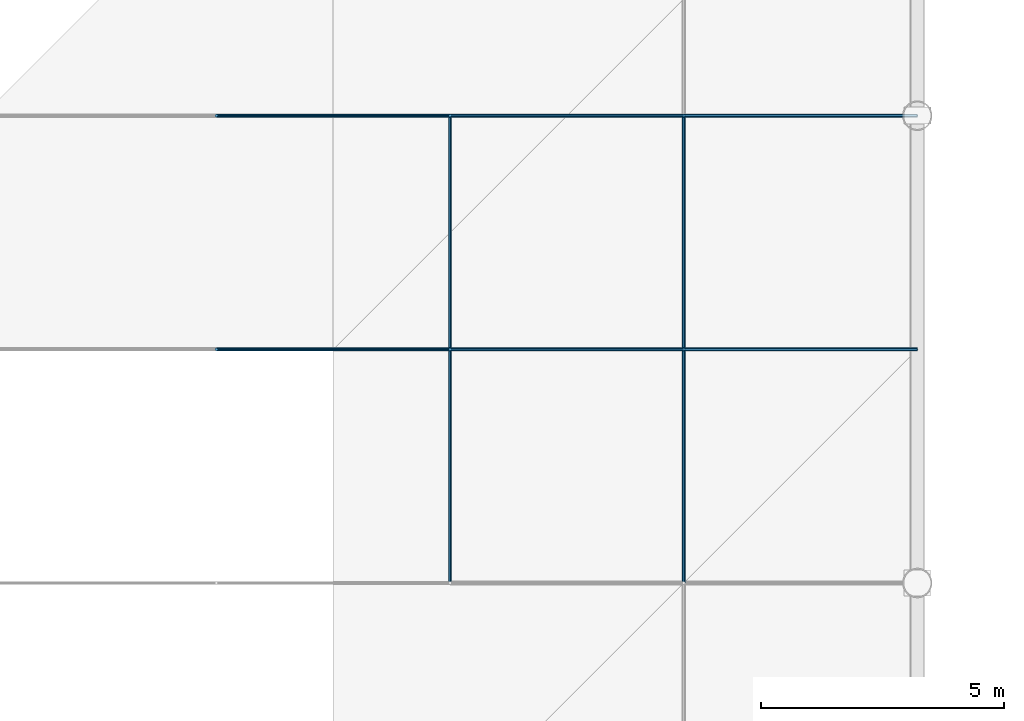
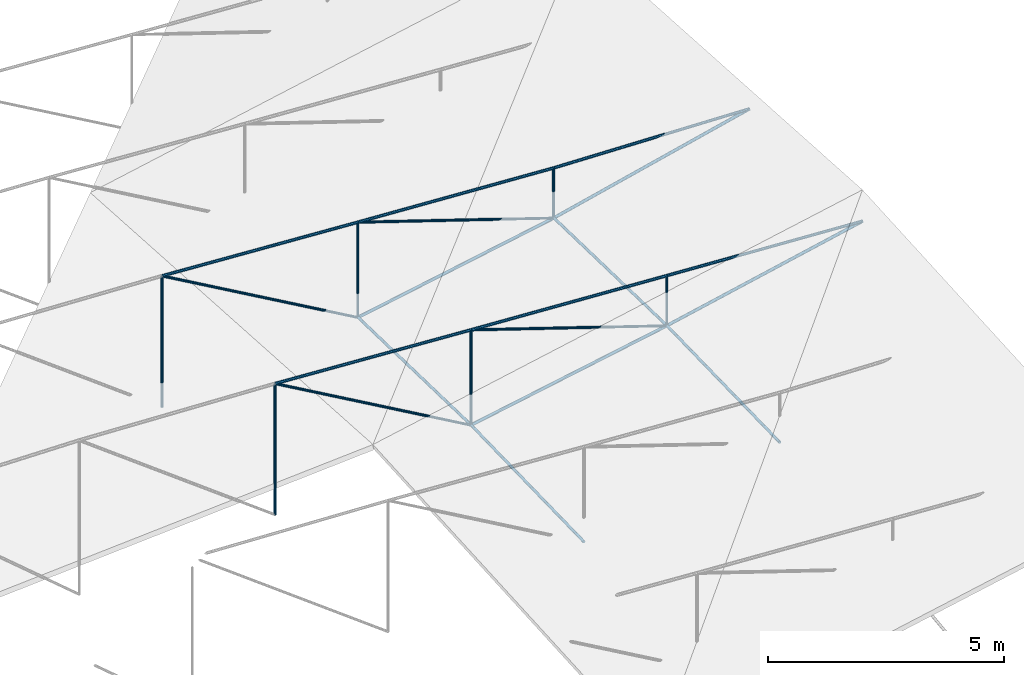
# One storey, part 27 of 50: 24 members.
"""IFC4 building model written with IfcOpenShell, lengths in metres."""

from ifc_helpers import new_model, si_unit, direction, frame, origin, origin_2d, place, context, subcontext, project, spatial, circle, extrude, material, material_profile, profile_set, type_object, element, save


model = new_model("IFC4")

# Units and contexts
model_context = context("Model", 3, precision=1e-05, world=origin(), true_north=direction((0.0, 1.0)))
body_context = subcontext(model_context, "Body", "Model", "MODEL_VIEW")
ifc_project = project(units=[si_unit("LENGTHUNIT", "METRE"), si_unit("AREAUNIT", "SQUARE_METRE"), si_unit("VOLUMEUNIT", "CUBIC_METRE"), si_unit("PLANEANGLEUNIT", "RADIAN"), si_unit("MASSUNIT", "GRAM", prefix="KILO")], contexts=[model_context])

# Site, building, storey
site_placement = place(None, origin())
site = spatial("IfcSite", under=ifc_project, at=site_placement, CompositionType="ELEMENT")
building_placement = place(site_placement, origin())
building = spatial("IfcBuilding", under=site, at=building_placement, Name="Zevrakil Square Congress Hotel", CompositionType="ELEMENT")
storey_placement = place(building_placement, frame((0.0, 0.0, 21.5)))
storey = spatial("IfcBuildingStorey", under=building, at=storey_placement, Name="L06", CompositionType="ELEMENT", Elevation=21.5)

# Members
ifc_material_1 = material(Name="Steel S355", Category="steel")
ifc_material_profile_1 = material_profile(ifc_material_1, circle(Radius=0.030029296875, at=origin_2d()), Name="CABLE RD60")
ifc_profile_set_1 = profile_set([ifc_material_profile_1], Name="Steel S355")
member_type_1 = type_object("IfcMemberType", Name="MEM-CABLE-RD60", PredefinedType="USERDEFINED", material=ifc_profile_set_1)
member_1_placement = place(storey_placement, frame((151.199951171875, 88.800048828125, -0.43798828125), z_axis=(0.0, 0.0, 1.0), x_axis=(1.0, 0.0, 0.0)))
element("IfcMember", 1, at=member_1_placement, inside=storey, type_object=member_type_1, Name="Congress cable-truss vertical tie CBW-05-7", ObjectType="ROOF CABLE", PredefinedType="USERDEFINED", context=body_context, shape_type="SweptSolid", body=[
    extrude(circle(Radius=0.030029296875, at=origin_2d()), origin(), (0.0, 0.0, 1.0), 3.39794921875),
])
member_2_placement = place(storey_placement, frame((156.0, 88.800048828125, 0.201904296875), z_axis=(-0.867060147467, 0.0, 0.498203473167), x_axis=(0.0, -1.0, 0.0)))
element("IfcMember", 2, at=member_2_placement, inside=storey, type_object=member_type_1, Name="Congress cable-truss web diagonal CBD-05-8", ObjectType="ROOF CABLE", PredefinedType="USERDEFINED", context=body_context, shape_type="SweptSolid", body=[
    extrude(circle(Radius=0.030029296875, at=origin_2d()), origin(), (0.0, 0.0, 1.0), 5.535888671875),
])
member_3_placement = place(storey_placement, frame((156.0, 88.800048828125, 0.201904296875), z_axis=(0.0, 0.0, 1.0), x_axis=(1.0, 0.0, 0.0)))
element("IfcMember", 3, at=member_3_placement, inside=storey, type_object=member_type_1, Name="Congress cable-truss vertical tie CBW-05-8", ObjectType="ROOF CABLE", PredefinedType="USERDEFINED", context=body_context, shape_type="SweptSolid", body=[
    extrude(circle(Radius=0.030029296875, at=origin_2d()), origin(), (0.0, 0.0, 1.0), 2.46875),
])
member_4_placement = place(storey_placement, frame((160.800048828125, 88.800048828125, 1.097900390625), z_axis=(-0.95029004287, 0.0, 0.311366077828), x_axis=(0.0, -1.0, 0.0)))
element("IfcMember", 4, at=member_4_placement, inside=storey, type_object=member_type_1, Name="Congress cable-truss web diagonal CBD-05-9", ObjectType="ROOF CABLE", PredefinedType="USERDEFINED", context=body_context, shape_type="SweptSolid", body=[
    extrude(circle(Radius=0.030029296875, at=origin_2d()), origin(), (0.0, 0.0, 1.0), 5.051025390625),
])
member_5_placement = place(storey_placement, frame((160.800048828125, 88.800048828125, 1.097900390625), z_axis=(0.0, 0.0, 1.0), x_axis=(1.0, 0.0, 0.0)))
element("IfcMember", 5, at=member_5_placement, inside=storey, type_object=member_type_1, Name="Congress cable-truss vertical tie CBW-05-9", ObjectType="ROOF CABLE", PredefinedType="USERDEFINED", context=body_context, shape_type="SweptSolid", body=[
    extrude(circle(Radius=0.030029296875, at=origin_2d()), origin(), (0.0, 0.0, 1.0), 1.298095703125),
])
member_6_placement = place(storey_placement, frame((151.199951171875, 93.60009765625, -0.55810546875), z_axis=(0.0, 0.0, 1.0), x_axis=(1.0, 0.0, 0.0)))
element("IfcMember", 6, at=member_6_placement, inside=storey, type_object=member_type_1, Name="Congress cable-truss vertical tie CBW-06-7", ObjectType="ROOF CABLE", PredefinedType="USERDEFINED", context=body_context, shape_type="SweptSolid", body=[
    extrude(circle(Radius=0.030029296875, at=origin_2d()), origin(), (0.0, 0.0, 1.0), 3.39794921875),
])
member_7_placement = place(storey_placement, frame((156.0, 93.60009765625, 0.08203125), z_axis=(-0.867079197454, 0.0, 0.498170317605), x_axis=(0.0, -1.0, 0.0)))
element("IfcMember", 7, at=member_7_placement, inside=storey, type_object=member_type_1, Name="Congress cable-truss web diagonal CBD-06-8", ObjectType="ROOF CABLE", PredefinedType="USERDEFINED", context=body_context, shape_type="SweptSolid", body=[
    extrude(circle(Radius=0.030029296875, at=origin_2d()), origin(), (0.0, 0.0, 1.0), 5.535888671875),
])
member_8_placement = place(storey_placement, frame((156.0, 93.60009765625, 0.08203125), z_axis=(0.0, 0.0, 1.0), x_axis=(1.0, 0.0, 0.0)))
element("IfcMember", 8, at=member_8_placement, inside=storey, type_object=member_type_1, Name="Congress cable-truss vertical tie CBW-06-8", ObjectType="ROOF CABLE", PredefinedType="USERDEFINED", context=body_context, shape_type="SweptSolid", body=[
    extrude(circle(Radius=0.030029296875, at=origin_2d()), origin(), (0.0, 0.0, 1.0), 2.46875),
])
member_9_placement = place(storey_placement, frame((160.800048828125, 93.60009765625, 0.97802734375), z_axis=(-0.95029004287, 0.0, 0.311366077828), x_axis=(0.0, -1.0, 0.0)))
element("IfcMember", 9, at=member_9_placement, inside=storey, type_object=member_type_1, Name="Congress cable-truss web diagonal CBD-06-9", ObjectType="ROOF CABLE", PredefinedType="USERDEFINED", context=body_context, shape_type="SweptSolid", body=[
    extrude(circle(Radius=0.030029296875, at=origin_2d()), origin(), (0.0, 0.0, 1.0), 5.051025390625),
])
member_10_placement = place(storey_placement, frame((160.800048828125, 93.60009765625, 0.97802734375), z_axis=(0.0, 0.0, 1.0), x_axis=(1.0, 0.0, 0.0)))
element("IfcMember", 10, at=member_10_placement, inside=storey, type_object=member_type_1, Name="Congress cable-truss vertical tie CBW-06-9", ObjectType="ROOF CABLE", PredefinedType="USERDEFINED", context=body_context, shape_type="SweptSolid", body=[
    extrude(circle(Radius=0.030029296875, at=origin_2d()), origin(), (0.0, 0.0, 1.0), 1.2978515625),
])
ifc_material_2 = material(Name="Steel S355", Category="steel")
ifc_material_profile_2 = material_profile(ifc_material_2, circle(Radius=0.033935546875, at=origin_2d()), Name="CABLE RD68")
ifc_profile_set_2 = profile_set([ifc_material_profile_2], Name="Steel S355")
member_type_2 = type_object("IfcMemberType", Name="MEM-CABLE-RD68", PredefinedType="USERDEFINED", material=ifc_profile_set_2)
for number, where, z_axis, x_axis, name in (
    (11, (156.0, 84.0, 0.092041015625), (0.0, 0.999688312992, 0.024965513538), (-1.0, 0.0, 0.0), "Congress saddle stabilizing cable CBH-08 seg 5"),
    (12, (156.0, 88.800048828125, 0.2119140625), (0.0, 0.999688312992, -0.024965513538), (-1.0, 0.0, 0.0), "Congress saddle stabilizing cable CBH-08 seg 6"),
    (13, (160.800048828125, 84.0, 0.988037109375), (0.0, 0.999688312992, 0.024965513538), (-1.0, 0.0, 0.0), "Congress saddle stabilizing cable CBH-09 seg 5"),
    (14, (160.800048828125, 88.800048828125, 1.10791015625), (0.0, 0.999688312992, -0.024965513538), (-1.0, 0.0, 0.0), "Congress saddle stabilizing cable CBH-09 seg 6"),
):
    element("IfcMember", number, at=place(storey_placement, frame(where, z_axis=z_axis, x_axis=x_axis)), inside=storey, type_object=member_type_2, Name=name, ObjectType="ROOF CABLE", PredefinedType="USERDEFINED", context=body_context, shape_type="SweptSolid", body=[
        extrude(circle(Radius=0.033935546875, at=origin_2d()), origin(), (0.0, 0.0, 1.0), 4.801513671875),
    ])
member_11_placement = place(storey_placement, frame((151.199951171875, 88.800048828125, 2.9599609375), z_axis=(0.998188600561, 0.0, -0.060162427733), x_axis=(0.0, 1.0, 0.0)))
element("IfcMember", 15, at=member_11_placement, inside=storey, type_object=member_type_2, Name="Congress lenticular upper cable chord CBU-05 seg 8", ObjectType="ROOF CABLE", PredefinedType="USERDEFINED", context=body_context, shape_type="SweptSolid", body=[
    extrude(circle(Radius=0.033935546875, at=origin_2d()), origin(), (0.0, 0.0, 1.0), 4.808837890625),
])
member_12_placement = place(storey_placement, frame((156.0, 88.800048828125, 2.670654296875), z_axis=(0.99836695184, 0.0, -0.057126434099), x_axis=(0.0, 1.0, 0.0)))
element("IfcMember", 16, at=member_12_placement, inside=storey, type_object=member_type_2, Name="Congress lenticular upper cable chord CBU-05 seg 9", ObjectType="ROOF CABLE", PredefinedType="USERDEFINED", context=body_context, shape_type="SweptSolid", body=[
    extrude(circle(Radius=0.033935546875, at=origin_2d()), origin(), (0.0, 0.0, 1.0), 4.807861328125),
])
member_13_placement = place(storey_placement, frame((160.800048828125, 88.800048828125, 2.39599609375), z_axis=(0.998466753159, 0.0, -0.055354700216), x_axis=(0.0, 1.0, 0.0)))
element("IfcMember", 17, at=member_13_placement, inside=storey, type_object=member_type_2, Name="Congress lenticular upper cable chord CBU-05 seg 10", ObjectType="ROOF CABLE", PredefinedType="USERDEFINED", context=body_context, shape_type="SweptSolid", body=[
    extrude(circle(Radius=0.033935546875, at=origin_2d()), origin(), (0.0, 0.0, 1.0), 4.807373046875),
])
member_14_placement = place(storey_placement, frame((151.199951171875, 93.60009765625, 2.83984375), z_axis=(0.998191648201, 0.0, -0.060111841283), x_axis=(0.0, 1.0, 0.0)))
element("IfcMember", 18, at=member_14_placement, inside=storey, type_object=member_type_2, Name="Congress lenticular upper cable chord CBU-06 seg 8", ObjectType="ROOF CABLE", PredefinedType="USERDEFINED", context=body_context, shape_type="SweptSolid", body=[
    extrude(circle(Radius=0.033935546875, at=origin_2d()), origin(), (0.0, 0.0, 1.0), 4.808837890625),
])
member_15_placement = place(storey_placement, frame((156.0, 93.60009765625, 2.55078125), z_axis=(0.998364054477, 0.0, -0.057177047217), x_axis=(0.0, 1.0, 0.0)))
element("IfcMember", 19, at=member_15_placement, inside=storey, type_object=member_type_2, Name="Congress lenticular upper cable chord CBU-06 seg 9", ObjectType="ROOF CABLE", PredefinedType="USERDEFINED", context=body_context, shape_type="SweptSolid", body=[
    extrude(circle(Radius=0.033935546875, at=origin_2d()), origin(), (0.0, 0.0, 1.0), 4.807861328125),
])
member_16_placement = place(storey_placement, frame((160.800048828125, 93.60009765625, 2.27587890625), z_axis=(0.999537768043, 0.0, -0.030401484426), x_axis=(0.0, 1.0, 0.0)))
element("IfcMember", 20, at=member_16_placement, inside=storey, type_object=member_type_2, Name="Congress lenticular upper cable chord CBU-06 seg 10", ObjectType="ROOF CABLE", PredefinedType="USERDEFINED", context=body_context, shape_type="SweptSolid", body=[
    extrude(circle(Radius=0.033935546875, at=origin_2d()), origin(), (0.0, 0.0, 1.0), 4.80224609375),
])
ifc_material_3 = material(Name="Steel S355", Category="steel")
ifc_material_profile_3 = material_profile(ifc_material_3, circle(Radius=0.0380859375, at=origin_2d()), Name="CABLE RD76")
ifc_profile_set_3 = profile_set([ifc_material_profile_3], Name="Steel S355")
member_type_3 = type_object("IfcMemberType", Name="MEM-CABLE-RD76", PredefinedType="USERDEFINED", material=ifc_profile_set_3)
member_17_placement = place(storey_placement, frame((156.0, 88.800048828125, 0.201904296875), z_axis=(0.983020729765, 0.0, 0.183494536302), x_axis=(0.0, 1.0, 0.0)))
element("IfcMember", 21, at=member_17_placement, inside=storey, type_object=member_type_3, Name="Congress saddle carrying cable CBS-05 seg 9", ObjectType="ROOF CABLE", PredefinedType="USERDEFINED", context=body_context, shape_type="SweptSolid", body=[
    extrude(circle(Radius=0.0380859375, at=origin_2d()), origin(), (0.0, 0.0, 1.0), 4.883056640625),
])
member_18_placement = place(storey_placement, frame((160.800048828125, 88.800048828125, 1.097900390625), z_axis=(0.977660289196, 0.0, 0.210191243702), x_axis=(0.0, 1.0, 0.0)))
element("IfcMember", 22, at=member_18_placement, inside=storey, type_object=member_type_3, Name="Congress saddle carrying cable CBS-05 seg 10", ObjectType="ROOF CABLE", PredefinedType="USERDEFINED", context=body_context, shape_type="SweptSolid", body=[
    extrude(circle(Radius=0.0380859375, at=origin_2d()), origin(), (0.0, 0.0, 1.0), 4.90966796875),
])
member_19_placement = place(storey_placement, frame((156.0, 93.60009765625, 0.08203125), z_axis=(0.983020729765, 0.0, 0.183494536302), x_axis=(0.0, 1.0, 0.0)))
element("IfcMember", 23, at=member_19_placement, inside=storey, type_object=member_type_3, Name="Congress saddle carrying cable CBS-06 seg 9", ObjectType="ROOF CABLE", PredefinedType="USERDEFINED", context=body_context, shape_type="SweptSolid", body=[
    extrude(circle(Radius=0.0380859375, at=origin_2d()), origin(), (0.0, 0.0, 1.0), 4.883056640625),
])
member_20_placement = place(storey_placement, frame((160.800048828125, 93.60009765625, 0.97802734375), z_axis=(0.972394484533, 0.0, 0.233343023144), x_axis=(0.0, 1.0, 0.0)))
element("IfcMember", 24, at=member_20_placement, inside=storey, type_object=member_type_3, Name="Congress saddle carrying cable CBS-06 seg 10", ObjectType="ROOF CABLE", PredefinedType="USERDEFINED", context=body_context, shape_type="SweptSolid", body=[
    extrude(circle(Radius=0.0380859375, at=origin_2d()), origin(), (0.0, 0.0, 1.0), 4.936279296875),
])

save(model, "model.ifc")
